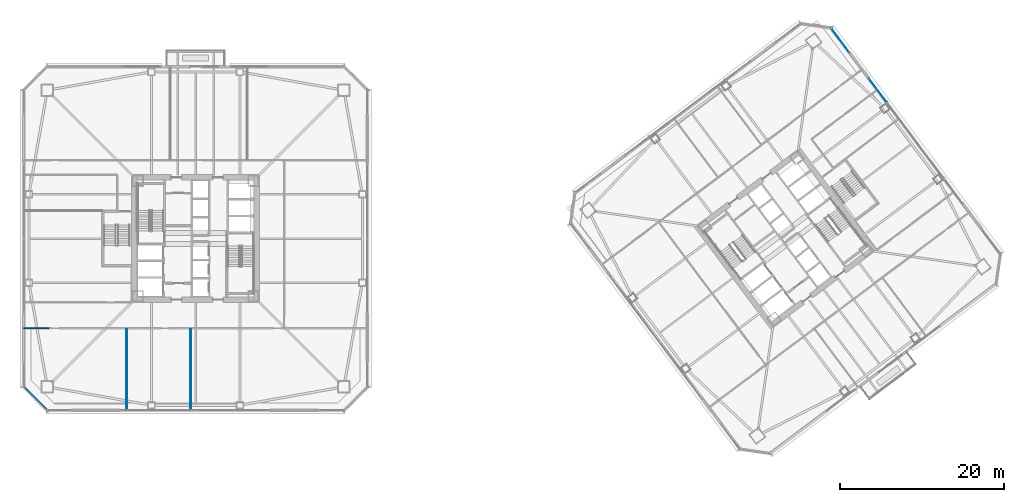
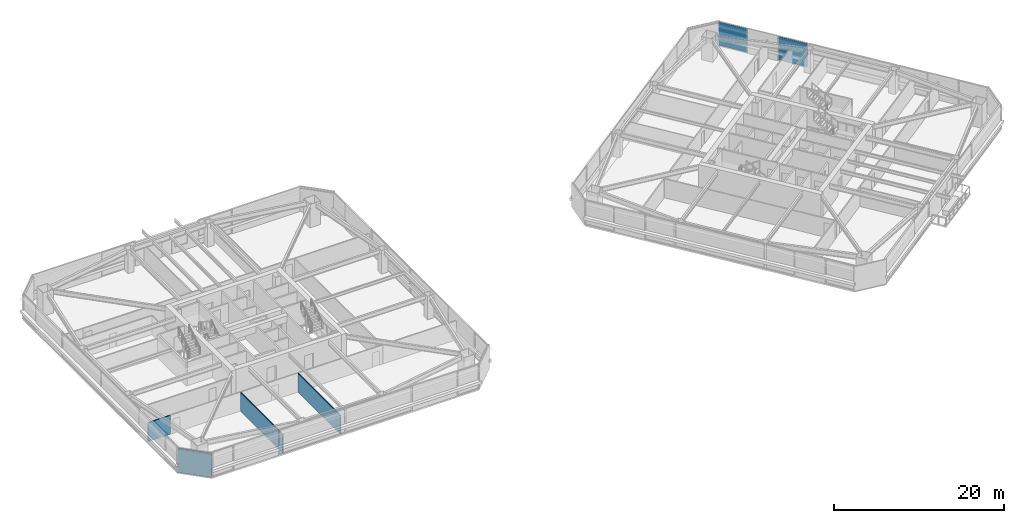
# One storey, part 37 of 48: 4 walls, 2 plates, 2 elements without a shape of their own.
"""IFC4 building model written with IfcOpenShell, lengths in metres."""

from ifc_helpers import new_model, si_unit, direction, frame, frame_2d, origin, origin_2d, place, context, subcontext, project, spatial, rectangle, extrude, material, layer, layer_set, type_object, element, aggregate, save


model = new_model("IFC4")

# Units and contexts
model_context = context("Model", 3, precision=1e-05, world=origin(), true_north=direction((0.0, 1.0)))
body_context = subcontext(model_context, "Body", "Model", "MODEL_VIEW")
ifc_project = project(units=[si_unit("LENGTHUNIT", "METRE"), si_unit("AREAUNIT", "SQUARE_METRE"), si_unit("VOLUMEUNIT", "CUBIC_METRE"), si_unit("PLANEANGLEUNIT", "RADIAN"), si_unit("MASSUNIT", "GRAM", prefix="KILO")], contexts=[model_context])

# Site, building, storey
site_placement = place(None, origin())
site = spatial("IfcSite", under=ifc_project, at=site_placement, CompositionType="ELEMENT")
building_placement = place(site_placement, origin())
building = spatial("IfcBuilding", under=site, at=building_placement, Name="Tashvorn Skyway Center", CompositionType="ELEMENT")
storey_placement = place(building_placement, frame((0.0, 0.0, 77.85009765625)))
storey = spatial("IfcBuildingStorey", under=building, at=storey_placement, Name="L20", CompositionType="ELEMENT", Elevation=77.85009765625)

# Curtain wall, plate
ifc_material_1 = material(Name="Thermally broken bronze-anodized aluminium 6063-T6", Category="aluminium")
curtain_wall_type = type_object("IfcCurtainWallType", Name="CW-CW-Z2", PredefinedType="NOTDEFINED", material=ifc_material_1)
curtain_wall_1_placement = place(storey_placement, origin())
curtain_wall_1 = element("IfcCurtainWall", 1, at=curtain_wall_1_placement, inside=storey, type_object=curtain_wall_type, Name="Tower 2 L20 East Unitised Curtain Wall Glazing Group 1", PredefinedType="NOTDEFINED")
ifc_material_2 = material(Name="Low-E solar-control double insulating safety glass", Category="glass")
ifc_layer_1 = layer(ifc_material_2, 0.0439453125)
ifc_layer_set_1 = layer_set([ifc_layer_1], Name="Low-E solar-control double insulating safety glass")
plate_type = type_object("IfcPlateType", Name="CWP-CW-Z2", PredefinedType="CURTAIN_PANEL", material=ifc_layer_set_1)
plate_1_placement = place(storey_placement, frame((120.68798828125, 56.216064453125, 0.080078125), z_axis=(0.0, 0.0, 1.0), x_axis=(0.600000000002, -0.799999999998, 0.0)))
plate_1 = element("IfcPlate", 2, at=plate_1_placement, type_object=plate_type, Name="CW-Z2 panel 1.1", PredefinedType="CURTAIN_PANEL", context=body_context, shape_type="SweptSolid", body=[
    extrude(rectangle(XDim=3.679931640625, YDim=0.0439453125, at=origin_2d()), origin(), (0.0, 0.0, 1.0), 3.389892578125),
])
aggregate(curtain_wall_1, [plate_1])

curtain_wall_2_placement = place(storey_placement, origin())
curtain_wall_2 = element("IfcCurtainWall", 3, at=curtain_wall_2_placement, inside=storey, type_object=curtain_wall_type, Name="Tower 2 L20 East Unitised Curtain Wall Glazing Group 2", PredefinedType="NOTDEFINED")
plate_2_placement = place(storey_placement, frame((125.2958984375, 50.072021484375, 0.080078125), z_axis=(0.0, 0.0, 1.0), x_axis=(0.600000000002, -0.799999999998, 0.0)))
plate_2 = element("IfcPlate", 4, at=plate_2_placement, type_object=plate_type, Name="CW-Z2 panel 1.1", PredefinedType="CURTAIN_PANEL", context=body_context, shape_type="SweptSolid", body=[
    extrude(rectangle(XDim=3.679931640625, YDim=0.0439453125, at=origin_2d()), origin(), (0.0, 0.0, 1.0), 3.389892578125),
])
aggregate(curtain_wall_2, [plate_2])

# Walls
ifc_material_3 = material(Name="Precast concrete C40/50", Category="concrete")
ifc_layer_2 = layer(ifc_material_3, 0.280029296875)
ifc_layer_set_2 = layer_set([ifc_layer_2], Name="Precast concrete C40/50")
wall_type_1 = type_object("IfcWallType", Name="WALL-EXT-280", PredefinedType="SOLIDWALL", material=ifc_layer_set_2)
wall_1_placement = place(storey_placement, frame((23.89990234375, 11.0, 0.0), z_axis=(0.0, 0.0, 1.0), x_axis=(-0.707106781187, 0.707106781187, 0.0)))
element("IfcWall", 5, at=wall_1_placement, inside=storey, type_object=wall_type_1, Name="Tower 1 L20 SW Precast Chamfer Wall", PredefinedType="SOLIDWALL", context=body_context, shape_type="SweptSolid", body=[
    extrude(rectangle(XDim=4.10107421875, YDim=0.280029296875, at=frame_2d((2.050537109375, 0.0))), origin(), (0.0, 0.0, 1.0), 3.349853515625),
])
ifc_material_4 = material(Name="Gypsum board on cold-formed steel stud framing", Category="steel")
ifc_layer_3 = layer(ifc_material_4, 0.110107421875)
ifc_layer_set_3 = layer_set([ifc_layer_3], Name="Gypsum board on cold-formed steel stud framing")
wall_type_2 = type_object("IfcWallType", Name="WALL-PART-110", PredefinedType="PARTITIONING", material=ifc_layer_set_3)
for number, where, z_axis, x_axis, name in (
    (6, (33.60009765625, 11.02001953125, 0.0), (0.0, 0.0, 1.0), (0.0, 1.0, 0.0), "Tower 1 L20 South Suite Partition 1"),
    (7, (41.39990234375, 11.02001953125, 0.0), (0.0, 0.0, 1.0), (0.0, 1.0, 0.0), "Tower 1 L20 South Suite Partition 2"),
):
    element("IfcWall", number, at=place(storey_placement, frame(where, z_axis=z_axis, x_axis=x_axis)), inside=storey, type_object=wall_type_2, Name=name, PredefinedType="PARTITIONING", context=body_context, shape_type="SweptSolid", body=[
        extrude(rectangle(XDim=9.949951171875, YDim=0.110107421875, at=frame_2d((4.97509765625, 0.0))), origin(), (0.0, 0.0, 1.0), 2.702880859375),
    ])
ifc_layer_4 = layer(ifc_material_4, 0.135009765625)
ifc_layer_set_4 = layer_set([ifc_layer_4], Name="Gypsum board on cold-formed steel stud framing")
wall_type_3 = type_object("IfcWallType", Name="WALL-PART-135", PredefinedType="PARTITIONING", material=ifc_layer_set_4)
wall_2_placement = place(storey_placement, frame((21.02001953125, 21.050048828125, 0.0), z_axis=(0.0, 0.0, 1.0), x_axis=(1.0, 0.0, 0.0)))
element("IfcWall", 8, at=wall_2_placement, inside=storey, type_object=wall_type_3, Name="Tower 1 L20 South-West Suite North Wall", PredefinedType="PARTITIONING", context=body_context, shape_type="SweptSolid", body=[
    extrude(rectangle(XDim=3.030029296875, YDim=0.135009765625, at=frame_2d((1.51513671875, 0.0))), origin(), (0.0, 0.0, 1.0), 2.702880859375),
])

save(model, "model.ifc")
